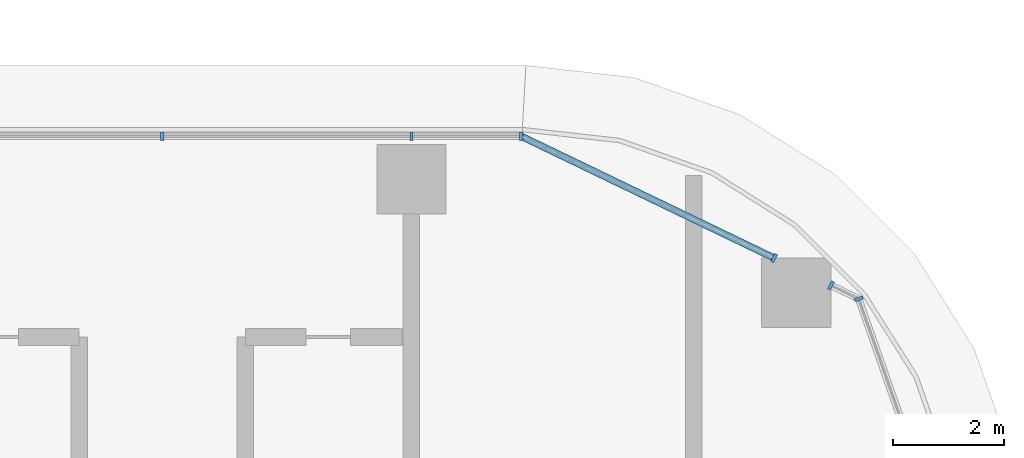
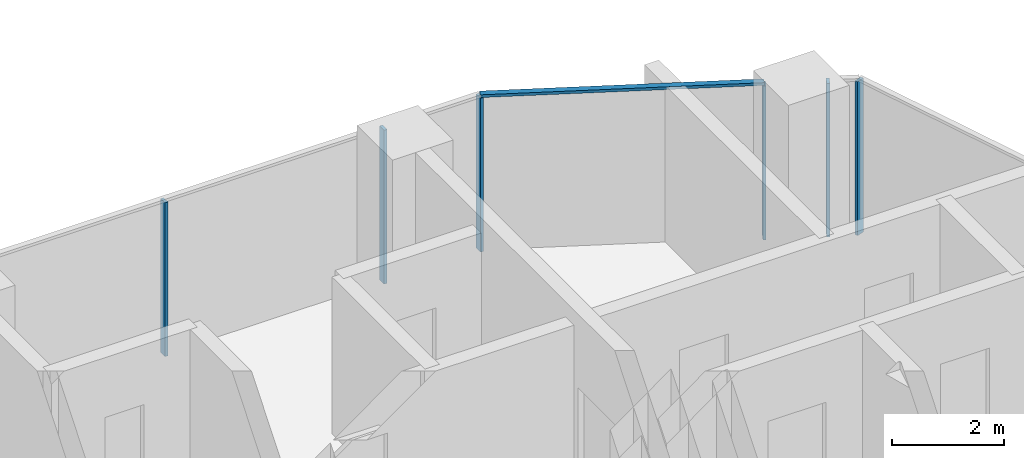
# One storey, part 5 of 40: 7 members, 3 elements without a shape of their own.
"""IFC4 building model written with IfcOpenShell, lengths in metres."""

from ifc_helpers import new_model, si_unit, direction, frame, origin, origin_2d, place, context, subcontext, project, spatial, rectangle, extrude, material, material_profile, profile_set, type_object, element, aggregate, save


model = new_model("IFC4")

# Units and contexts
model_context = context("Model", 3, precision=1e-05, world=origin(), true_north=direction((0.0, 1.0)))
body_context = subcontext(model_context, "Body", "Model", "MODEL_VIEW")
ifc_project = project(units=[si_unit("LENGTHUNIT", "METRE"), si_unit("AREAUNIT", "SQUARE_METRE"), si_unit("VOLUMEUNIT", "CUBIC_METRE"), si_unit("PLANEANGLEUNIT", "RADIAN"), si_unit("MASSUNIT", "GRAM", prefix="KILO")], contexts=[model_context])

# Site, building, storey
site_placement = place(None, origin())
site = spatial("IfcSite", under=ifc_project, at=site_placement, CompositionType="ELEMENT")
building_placement = place(site_placement, origin())
building = spatial("IfcBuilding", under=site, at=building_placement, Name="Ogive Portal Towers", CompositionType="ELEMENT")
storey_placement = place(building_placement, frame((0.0, 0.0, 87.10009765625)))
storey = spatial("IfcBuildingStorey", under=building, at=storey_placement, Name="L20", CompositionType="ELEMENT", Elevation=87.10009765625)

# Curtain wall, members
ifc_material_1 = material(Name="Glass, clear low-iron insulated glazing", Category="glass")
curtain_wall_type = type_object("IfcCurtainWallType", Name="CW FRONT RIBBON 4500", PredefinedType="NOTDEFINED", material=ifc_material_1)
curtain_wall_1_placement = place(storey_placement, origin())
curtain_wall_1 = element("IfcCurtainWall", 1, at=curtain_wall_1_placement, inside=storey, type_object=curtain_wall_type, Name="A:L20:f11:cw0", PredefinedType="NOTDEFINED")
ifc_material_2 = material(Name="Aluminium 6063 anodised", Category="aluminium")
ifc_material_profile_1 = material_profile(ifc_material_2, rectangle(XDim=0.159912109375, YDim=0.06005859375, at=origin_2d()), Name="AL 60x160")
ifc_profile_set_1 = profile_set([ifc_material_profile_1], Name="Aluminium 6063 anodised")
member_type_1 = type_object("IfcMemberType", Name="CW MULLION 60x160", PredefinedType="MULLION", material=ifc_profile_set_1)
member_1_placement = place(storey_placement, frame((87.481689453125, 40.27490234375, 0.0), z_axis=(0.0, 0.0, 1.0), x_axis=(0.0, -1.0, 0.0)))
member_1 = element("IfcMember", 2, at=member_1_placement, type_object=member_type_1, Name="mullion", PredefinedType="MULLION", context=body_context, shape_type="SweptSolid", body=[
    extrude(rectangle(XDim=0.159912109375, YDim=0.06005859375, at=origin_2d()), origin(), (0.0, 0.0, 1.0), 3.33984375),
])
member_2_placement = place(storey_placement, frame((85.5, 40.27490234375, 0.0), z_axis=(0.0, 0.0, 1.0), x_axis=(0.0, -1.0, 0.0)))
member_2 = element("IfcMember", 3, at=member_2_placement, type_object=member_type_1, Name="mullion", PredefinedType="MULLION", context=body_context, shape_type="SweptSolid", body=[
    extrude(rectangle(XDim=0.159912109375, YDim=0.06005859375, at=origin_2d()), origin(), (0.0, 0.0, 1.0), 3.33984375),
])
member_3_placement = place(storey_placement, frame((81.0, 40.27490234375, 0.0), z_axis=(0.0, 0.0, 1.0), x_axis=(0.0, -1.0, 0.0)))
member_3 = element("IfcMember", 4, at=member_3_placement, type_object=member_type_1, Name="mullion", PredefinedType="MULLION", context=body_context, shape_type="SweptSolid", body=[
    extrude(rectangle(XDim=0.159912109375, YDim=0.06005859375, at=origin_2d()), origin(), (0.0, 0.0, 1.0), 3.33984375),
])
aggregate(curtain_wall_1, [member_1, member_2, member_3])

curtain_wall_2_placement = place(storey_placement, origin())
curtain_wall_2 = element("IfcCurtainWall", 5, at=curtain_wall_2_placement, inside=storey, type_object=curtain_wall_type, Name="A:L20:f09:cwa~0", PredefinedType="NOTDEFINED")
member_4_placement = place(storey_placement, frame((93.57666015625, 37.33984375, 0.0), z_axis=(0.0, 0.0, 1.0), x_axis=(-0.943883330307, -0.33027906196, 0.0)))
member_4 = element("IfcMember", 6, at=member_4_placement, type_object=member_type_1, Name="mullion", PredefinedType="MULLION", context=body_context, shape_type="SweptSolid", body=[
    extrude(rectangle(XDim=0.159912109375, YDim=0.06005859375, at=origin_2d()), origin(), (0.0, 0.0, 1.0), 3.33984375),
])
member_5_placement = place(storey_placement, frame((93.074951171875, 37.58154296875, 0.0), z_axis=(0.0, 0.0, 1.0), x_axis=(-0.433883739113, -0.900968867905, 0.0)))
member_5 = element("IfcMember", 7, at=member_5_placement, type_object=member_type_1, Name="mullion", PredefinedType="MULLION", context=body_context, shape_type="SweptSolid", body=[
    extrude(rectangle(XDim=0.159912109375, YDim=0.06005859375, at=origin_2d()), origin(), (0.0, 0.0, 1.0), 3.33984375),
])
aggregate(curtain_wall_2, [member_4, member_5])

curtain_wall_3_placement = place(storey_placement, origin())
curtain_wall_3 = element("IfcCurtainWall", 8, at=curtain_wall_3_placement, inside=storey, type_object=curtain_wall_type, Name="A:L20:f09:cwa~1", PredefinedType="NOTDEFINED")
member_6_placement = place(storey_placement, frame((92.050048828125, 38.074951171875, 0.0), z_axis=(0.0, 0.0, 1.0), x_axis=(-0.433883739113, -0.900968867905, 0.0)))
member_6 = element("IfcMember", 9, at=member_6_placement, type_object=member_type_1, Name="mullion", PredefinedType="MULLION", context=body_context, shape_type="SweptSolid", body=[
    extrude(rectangle(XDim=0.159912109375, YDim=0.06005859375, at=origin_2d()), origin(), (0.0, 0.0, 1.0), 3.33984375),
])
ifc_material_profile_2 = material_profile(ifc_material_2, rectangle(XDim=0.1201171875, YDim=0.06005859375, at=origin_2d()), Name="AL 120x60")
ifc_profile_set_2 = profile_set([ifc_material_profile_2], Name="Aluminium 6063 anodised")
member_type_2 = type_object("IfcMemberType", Name="CW TRANSOM 60x120", PredefinedType="USERDEFINED", material=ifc_profile_set_2)
member_7_placement = place(storey_placement, frame((92.050048828125, 38.074951171875, 3.369873046875), z_axis=(-0.900973089103, 0.433874973595, 0.0), x_axis=(-0.433874973595, -0.900973089103, 0.0)))
member_7 = element("IfcMember", 10, at=member_7_placement, type_object=member_type_2, Name="transom", ObjectType="TRANSOM", PredefinedType="USERDEFINED", context=body_context, shape_type="SweptSolid", body=[
    extrude(rectangle(XDim=0.1201171875, YDim=0.06005859375, at=origin_2d()), origin(), (0.0, 0.0, 1.0), 5.070556640625),
])
aggregate(curtain_wall_3, [member_7, member_6])

save(model, "model.ifc")
